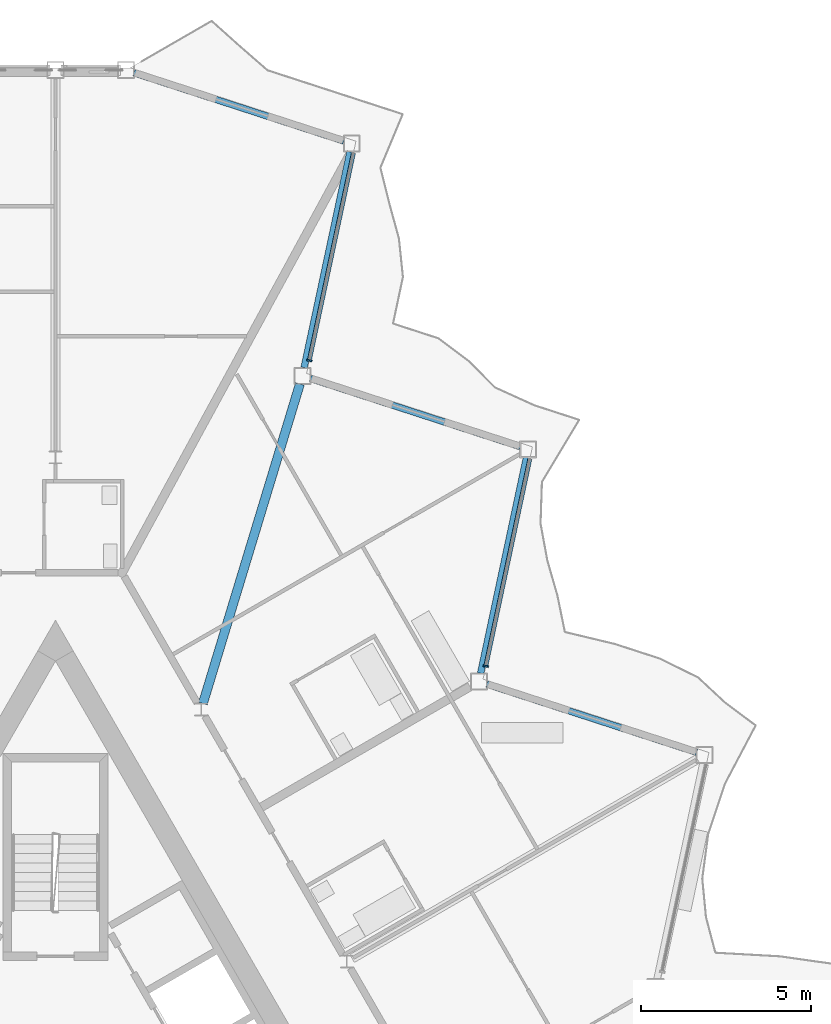
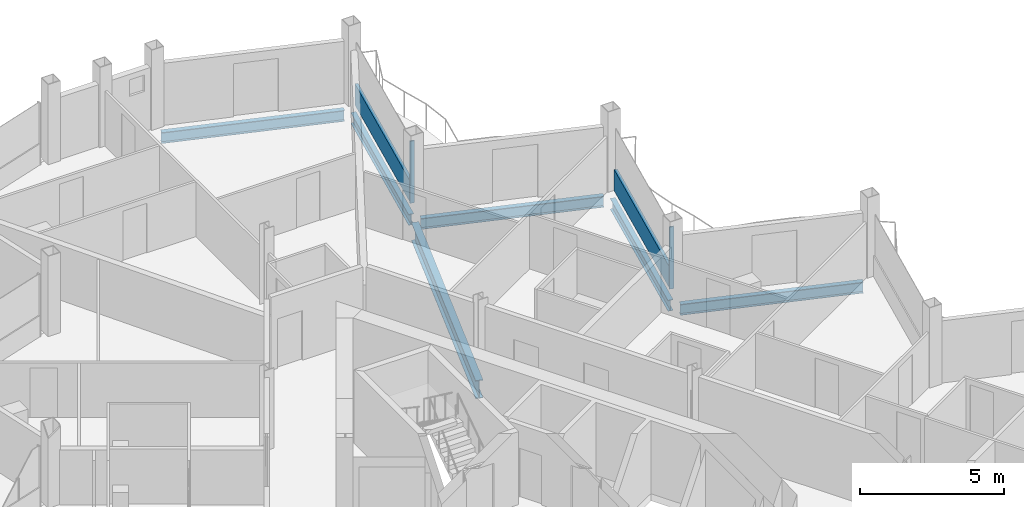
# One storey, part 10 of 26: 6 beams, 4 members, 2 elements without a shape of their own.
"""IFC4 building model written with IfcOpenShell, lengths in metres."""

from ifc_helpers import new_model, si_unit, direction, frame, origin, origin_2d, place, context, subcontext, project, spatial, rectangle, i_section, extrude, material, layer, layer_set, material_profile, profile_set, type_object, element, aggregate, save


model = new_model("IFC4")

# Units and contexts
model_context = context("Model", 3, precision=1e-05, world=origin(), true_north=direction((0.0, 1.0)))
body_context = subcontext(model_context, "Body", "Model", "MODEL_VIEW")
ifc_project = project(units=[si_unit("LENGTHUNIT", "METRE"), si_unit("AREAUNIT", "SQUARE_METRE"), si_unit("VOLUMEUNIT", "CUBIC_METRE"), si_unit("PLANEANGLEUNIT", "RADIAN"), si_unit("MASSUNIT", "GRAM", prefix="KILO")], contexts=[model_context])

# Site, building, storey
site_placement = place(None, origin())
site = spatial("IfcSite", under=ifc_project, at=site_placement, CompositionType="ELEMENT")
building_placement = place(site_placement, origin())
building = spatial("IfcBuilding", under=site, at=building_placement, Name="Cormorant Prow Tower", CompositionType="ELEMENT")
storey_placement = place(building_placement, frame((0.0, 0.0, 401.800048828125)))
storey = spatial("IfcBuildingStorey", under=building, at=storey_placement, Name="L92", CompositionType="ELEMENT", Elevation=401.800048828125)

# Beam
ifc_material_1 = material(Name="Structural steel ASTM A992 Gr 50", Category="steel")
ifc_material_profile_1 = material_profile(ifc_material_1, i_section(OverallWidth=0.267822265625, OverallDepth=0.77001953125, WebThickness=0.015625, FlangeThickness=0.025390625, at=origin_2d()), Name="W30x132")
ifc_profile_set_1 = profile_set([ifc_material_profile_1], Name="Structural steel ASTM A992 Gr 50")
beam_type_1 = type_object("IfcBeamType", Name="Radial floor beam W30x132", PredefinedType="BEAM", material=ifc_profile_set_1)
beam_1_placement = place(storey_placement, frame((4.343505859375, 12.560791015625, -0.68505859375), z_axis=(0.290499864147, 0.956875033079, 0.0), x_axis=(-0.956875033079, 0.290499864147, 0.0)))
element("IfcBeam", 1, at=beam_1_placement, inside=storey, type_object=beam_type_1, Name="Radial floor beam FB3 12 L92", PredefinedType="BEAM", context=body_context, shape_type="SweptSolid", body=[
    extrude(i_section(OverallWidth=0.267822265625, OverallDepth=0.77001953125, WebThickness=0.015625, FlangeThickness=0.025390625, at=origin_2d()), origin(), (0.0, 0.0, 1.0), 9.837158203125),
])

# Curtain wall, member
ifc_material_2 = material(Name="Aluminium 6063-T6", Category="aluminium")
ifc_layer = layer(ifc_material_2, 0.159912109375)
ifc_layer_set = layer_set([ifc_layer], Name="Aluminium 6063-T6")
curtain_wall_type = type_object("IfcCurtainWallType", Name="Residential unitised curtain wall 160", PredefinedType="NOTDEFINED", material=ifc_layer_set)
curtain_wall_1_placement = place(storey_placement, origin())
curtain_wall_1 = element("IfcCurtainWall", 2, at=curtain_wall_1_placement, inside=storey, type_object=curtain_wall_type, Name="Residential curtain wall ENE06", PredefinedType="NOTDEFINED")
ifc_material_3 = material(Name="Aluminium 6063-T6", Category="aluminium")
ifc_material_profile_2 = material_profile(ifc_material_3, rectangle(XDim=0.159912109375, YDim=0.050048828125, at=origin_2d()), Name="Residential mullion 50x160")
ifc_profile_set_2 = profile_set([ifc_material_profile_2], Name="Aluminium 6063-T6")
member_type_1 = type_object("IfcMemberType", Name="Residential mullion 50x160", PredefinedType="MULLION", material=ifc_profile_set_2)
member_1_placement = place(storey_placement, frame((12.67919921875, 13.66015625, 0.0), z_axis=(0.0, 0.0, 1.0), x_axis=(-0.978147615768, 0.207911620089, 0.0)))
member_1 = element("IfcMember", 3, at=member_1_placement, type_object=member_type_1, Name="Residential mullion ENE06", PredefinedType="MULLION", context=body_context, shape_type="SweptSolid", body=[
    extrude(rectangle(XDim=0.159912109375, YDim=0.050048828125, at=origin_2d()), origin(), (0.0, 0.0, 1.0), 2.6337890625),
])

curtain_wall_2_placement = place(storey_placement, origin())
curtain_wall_2 = element("IfcCurtainWall", 4, at=curtain_wall_2_placement, inside=storey, type_object=curtain_wall_type, Name="Residential curtain wall ENE08", PredefinedType="NOTDEFINED")
member_2_placement = place(storey_placement, frame((7.47900390625, 22.6669921875, 0.0), z_axis=(0.0, 0.0, 1.0), x_axis=(-0.978147615768, 0.207911620089, 0.0)))
member_2 = element("IfcMember", 5, at=member_2_placement, type_object=member_type_1, Name="Residential mullion ENE08", PredefinedType="MULLION", context=body_context, shape_type="SweptSolid", body=[
    extrude(rectangle(XDim=0.159912109375, YDim=0.050048828125, at=origin_2d()), origin(), (0.0, 0.0, 1.0), 2.6337890625),
])

# Member
ifc_material_4 = material(Name="Terracotta", Category="masonry")
ifc_material_profile_3 = material_profile(ifc_material_4, rectangle(XDim=0.1201171875, YDim=0.89990234375, at=origin_2d()), Name="Residential terracotta spandrel rail 120x900")
ifc_profile_set_3 = profile_set([ifc_material_profile_3], Name="Terracotta")
member_type_2 = type_object("IfcMemberType", Name="Residential terracotta spandrel rail 120x900", PredefinedType="USERDEFINED", material=ifc_profile_set_3)
member_3_placement = place(storey_placement, frame((12.684326171875, 13.6845703125, 0.449951171875), z_axis=(0.207908552773, 0.978148267741, 0.0), x_axis=(-0.978148267741, 0.207908552773, 0.0)))
member_3 = element("IfcMember", 6, at=member_3_placement, type_object=member_type_2, Name="Residential spandrel rail ENE06", ObjectType="TRANSOM", PredefinedType="USERDEFINED", context=body_context, shape_type="SweptSolid", body=[
    extrude(rectangle(XDim=0.1201171875, YDim=0.89990234375, at=origin_2d()), origin(), (0.0, 0.0, 1.0), 6.21533203125),
])

aggregate(curtain_wall_1, [member_1, member_3])

member_4_placement = place(storey_placement, frame((7.484375, 22.69140625, 0.449951171875), z_axis=(0.207916541247, 0.978146569731, 0.0), x_axis=(-0.978146569731, 0.207916541247, 0.0)))
member_4 = element("IfcMember", 7, at=member_4_placement, type_object=member_type_2, Name="Residential spandrel rail ENE08", ObjectType="TRANSOM", PredefinedType="USERDEFINED", context=body_context, shape_type="SweptSolid", body=[
    extrude(rectangle(XDim=0.1201171875, YDim=0.89990234375, at=origin_2d()), origin(), (0.0, 0.0, 1.0), 6.215087890625),
])

aggregate(curtain_wall_2, [member_2, member_4])

# Beams
ifc_material_5 = material(Name="Structural steel ASTM A992 Gr 50", Category="steel")
ifc_material_profile_4 = material_profile(ifc_material_5, i_section(OverallWidth=0.19287109375, OverallDepth=0.466064453125, WebThickness=0.011474609375, FlangeThickness=0.01904296875, at=origin_2d()), Name="W18x65")
ifc_profile_set_4 = profile_set([ifc_material_profile_4], Name="Structural steel ASTM A992 Gr 50")
beam_type_2 = type_object("IfcBeamType", Name="Spandrel beam W18x65", PredefinedType="SPANDREL", material=ifc_profile_set_4)
beam_2_placement = place(storey_placement, frame((18.890869140625, 11.12109375, -0.533203125), z_axis=(-0.951053396625, 0.309026595569, 0.0), x_axis=(-0.309026595569, -0.951053396625, 0.0)))
element("IfcBeam", 8, at=beam_2_placement, inside=storey, type_object=beam_type_2, Name="Spandrel beam SB4 ENE05-ENE06 L92", PredefinedType="SPANDREL", context=body_context, shape_type="SweptSolid", body=[
    extrude(i_section(OverallWidth=0.19287109375, OverallDepth=0.466064453125, WebThickness=0.011474609375, FlangeThickness=0.01904296875, at=origin_2d()), origin(), (0.0, 0.0, 1.0), 6.497314453125),
])
beam_3_placement = place(storey_placement, frame((12.52587890625, 13.45068359375, -0.533203125), z_axis=(0.207901897373, 0.978149682344, 0.0), x_axis=(-0.978149682344, 0.207901897373, 0.0)))
element("IfcBeam", 9, at=beam_3_placement, inside=storey, type_object=beam_type_2, Name="Spandrel beam SB4 ENE06-ENE07 L92", PredefinedType="SPANDREL", context=body_context, shape_type="SweptSolid", body=[
    extrude(i_section(OverallWidth=0.19287109375, OverallDepth=0.466064453125, WebThickness=0.011474609375, FlangeThickness=0.01904296875, at=origin_2d()), origin(), (0.0, 0.0, 1.0), 6.49755859375),
])
beam_4_placement = place(storey_placement, frame((13.69091796875, 20.1279296875, -0.533203125), z_axis=(-0.951068027308, 0.308981564875, 0.0), x_axis=(-0.308981564875, -0.951068027308, 0.0)))
element("IfcBeam", 10, at=beam_4_placement, inside=storey, type_object=beam_type_2, Name="Spandrel beam SB4 ENE07-ENE08 L92", PredefinedType="SPANDREL", context=body_context, shape_type="SweptSolid", body=[
    extrude(i_section(OverallWidth=0.19287109375, OverallDepth=0.466064453125, WebThickness=0.011474609375, FlangeThickness=0.01904296875, at=origin_2d()), origin(), (0.0, 0.0, 1.0), 6.497314453125),
])
for number, where, z_axis, x_axis, name in (
    (11, (7.32568359375, 22.457275390625, -0.533203125), (0.20793784774, 0.978142040543, 0.0), (-0.978142040543, 0.20793784774, 0.0), "Spandrel beam SB4 ENE08-ENE09 L92"),
    (12, (8.490966796875, 29.134521484375, -0.533203125), (-0.951056984862, 0.30901555227, 0.0), (-0.30901555227, -0.951056984862, 0.0), "Spandrel beam SB4 ENE09-N00 L92"),
):
    element("IfcBeam", number, at=place(storey_placement, frame(where, z_axis=z_axis, x_axis=x_axis)), inside=storey, type_object=beam_type_2, Name=name, PredefinedType="SPANDREL", context=body_context, shape_type="SweptSolid", body=[
        extrude(i_section(OverallWidth=0.19287109375, OverallDepth=0.466064453125, WebThickness=0.011474609375, FlangeThickness=0.01904296875, at=origin_2d()), origin(), (0.0, 0.0, 1.0), 6.49755859375),
    ])

save(model, "model.ifc")
